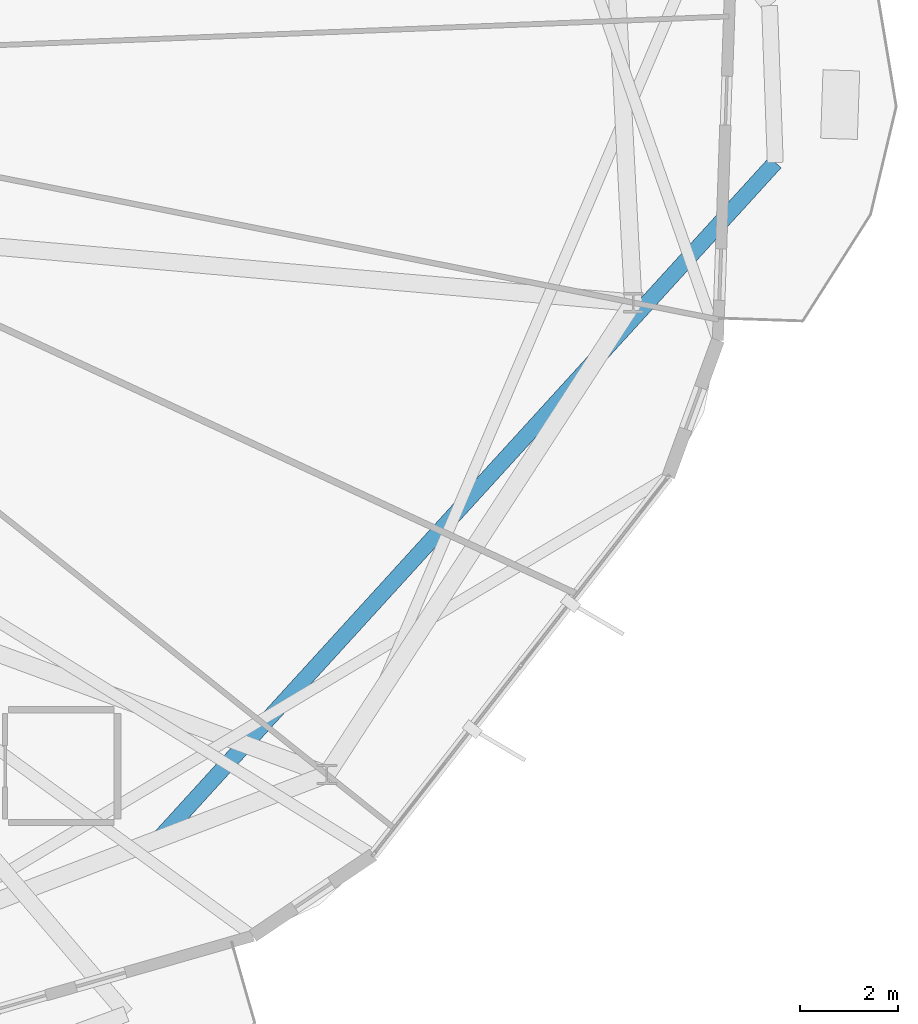
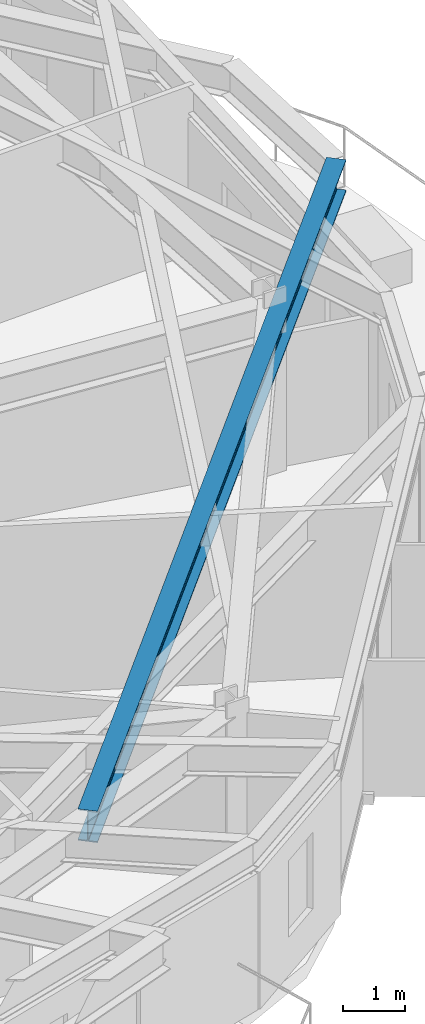
# One storey, part 12 of 30: 1 beam.
"""IFC4 building model written with IfcOpenShell, lengths in metres."""

from ifc_helpers import new_model, si_unit, direction, frame, origin, origin_2d, place, context, subcontext, project, spatial, i_section, extrude, material, material_profile, profile_set, type_object, element, save


model = new_model("IFC4")

# Units and contexts
model_context = context("Model", 3, precision=1e-05, world=origin(), true_north=direction((0.0, 1.0)))
body_context = subcontext(model_context, "Body", "Model", "MODEL_VIEW")
ifc_project = project(units=[si_unit("LENGTHUNIT", "METRE"), si_unit("AREAUNIT", "SQUARE_METRE"), si_unit("VOLUMEUNIT", "CUBIC_METRE"), si_unit("PLANEANGLEUNIT", "RADIAN"), si_unit("MASSUNIT", "GRAM", prefix="KILO")], contexts=[model_context])

# Site, building, storey
site_placement = place(None, origin())
site = spatial("IfcSite", under=ifc_project, at=site_placement, CompositionType="ELEMENT")
building_placement = place(site_placement, origin())
building = spatial("IfcBuilding", under=site, at=building_placement, Name="Soratama Intermodal Tower", CompositionType="ELEMENT")
storey_placement = place(building_placement, frame((0.0, 0.0, 223.0)))
storey = spatial("IfcBuildingStorey", under=building, at=storey_placement, Name="L56", CompositionType="ELEMENT", Elevation=223.0)

# Beam
ifc_material = material(Name="Structural steel ASTM A992 Grade 50", Category="steel")
ifc_material_profile = material_profile(ifc_material, i_section(OverallWidth=0.324951171875, OverallDepth=0.615966796875, WebThickness=0.013916015625, FlangeThickness=0.021484375, FilletRadius=0.013916015625, at=origin_2d()), Name="W24X117")
ifc_profile_set = profile_set([ifc_material_profile], Name="Structural steel ASTM A992 Grade 50")
beam_type = type_object("IfcBeamType", Name="BM-CANT-W24X117", PredefinedType="BEAM", material=ifc_profile_set)
beam_placement = place(storey_placement, frame((53.300048828125, 9.257080078125, 2.991943359375), z_axis=(0.673543693618, 0.739147409376, 0.0), x_axis=(-0.739147409376, 0.673543693618, 0.0)))
element("IfcBeam", 1, at=beam_placement, inside=storey, type_object=beam_type, Name="BM-L56-CANT-1-1", PredefinedType="BEAM", context=body_context, shape_type="SweptSolid", body=[
    extrude(i_section(OverallWidth=0.324951171875, OverallDepth=0.615966796875, WebThickness=0.013916015625, FlangeThickness=0.021484375, FilletRadius=0.013916015625, at=origin_2d()), origin(), (0.0, 0.0, 1.0), 18.659423828125),
])

save(model, "model.ifc")
